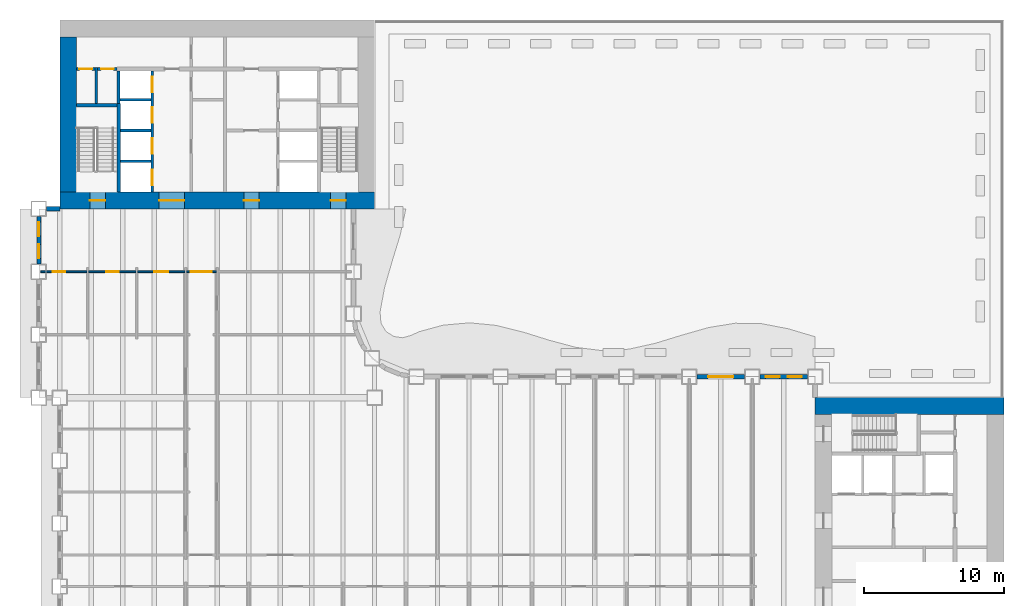
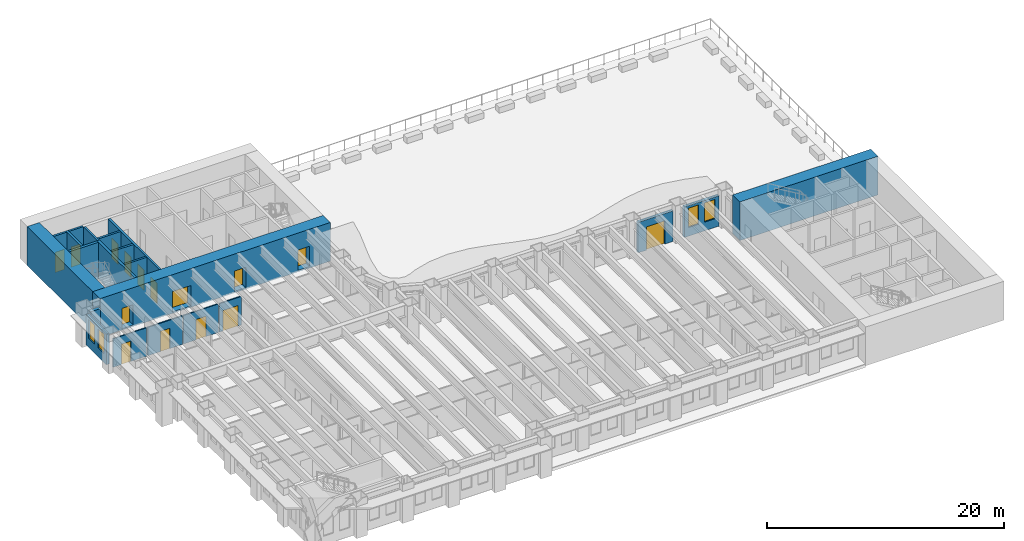
# One storey, part 7 of 18: 21 walls, 15 doors, 4 windows, 19 openings.
"""IFC4 building model written with IfcOpenShell, lengths in metres."""

from ifc_helpers import new_model, si_unit, direction, frame, frame_2d, origin, place, context, subcontext, project, spatial, rectangle, extrude, material, layer, layer_set, type_object, element, fill, save


model = new_model("IFC4")

# Units and contexts
model_context = context("Model", 3, precision=1e-05, world=origin(), true_north=direction((0.0, 1.0)))
body_context = subcontext(model_context, "Body", "Model", "MODEL_VIEW")
ifc_project = project(units=[si_unit("LENGTHUNIT", "METRE"), si_unit("AREAUNIT", "SQUARE_METRE"), si_unit("VOLUMEUNIT", "CUBIC_METRE"), si_unit("PLANEANGLEUNIT", "RADIAN"), si_unit("MASSUNIT", "GRAM", prefix="KILO")], contexts=[model_context])

# Site, building, storey
site_placement = place(None, origin())
site = spatial("IfcSite", under=ifc_project, at=site_placement, CompositionType="ELEMENT")
building_placement = place(site_placement, origin())
building = spatial("IfcBuilding", under=site, at=building_placement, Name="Sennacour Bend Tower", CompositionType="ELEMENT")
storey_placement = place(building_placement, frame((0.0, 0.0, 29.0)))
storey = spatial("IfcBuildingStorey", under=building, at=storey_placement, Name="L05", CompositionType="ELEMENT", Elevation=29.0)

# Wall
ifc_material_1 = material(Name="Concrete C80/95", Category="concrete")
ifc_layer_1 = layer(ifc_material_1, 1.199951171875, Name="Concrete C80/95", Category="concrete")
ifc_layer_set_1 = layer_set([ifc_layer_1], Name="Concrete C80/95")
wall_type_1 = type_object("IfcWallType", Name="Core wall 1200 C80/95", PredefinedType="SHEAR", material=ifc_layer_set_1)
wall_1_placement = place(storey_placement, frame((54.0, 21.89990234375, -0.14990234375), z_axis=(0.0, 0.0, 1.0), x_axis=(1.0, 0.0, 0.0)))
element("IfcWall", 1, at=wall_1_placement, inside=storey, type_object=wall_type_1, Name="Core A wall L05 N", PredefinedType="SHEAR", context=body_context, shape_type="SweptSolid", body=[
    extrude(rectangle(XDim=13.5, YDim=1.199951171875, at=frame_2d((6.75, 0.0))), origin(), (0.0, 0.0, 1.0), 4.0),
])

# Wall, openings, doors
wall_2_placement = place(storey_placement, frame((0.0, 36.60009765625, -0.14990234375), z_axis=(0.0, 0.0, 1.0), x_axis=(1.0, 0.0, 0.0)))
wall_2 = element("IfcWall", 2, at=wall_2_placement, inside=storey, type_object=wall_type_1, Name="Core B wall L05 S", PredefinedType="SHEAR", context=body_context, shape_type="SweptSolid", body=[
    extrude(rectangle(XDim=22.5, YDim=1.199951171875, at=frame_2d((11.25, 0.0))), origin(), (0.0, 0.0, 1.0), 4.0),
])
opening_1_placement = place(wall_2_placement, frame((7.10009765625, 0.0, 0.14990234375)))
opening_1 = element("IfcOpeningElement", 3, at=opening_1_placement, cuts=wall_2, Name="Opening CD", PredefinedType="OPENING", context=body_context, shape_type="SweptSolid", body=[
    extrude(rectangle(XDim=1.800048828125, YDim=2.10009765625, at=frame_2d((0.89990234375, 1.050048828125))), frame((0.0, 0.60986328125, 0.0), z_axis=(0.0, -1.0, 0.0), x_axis=(1.0, 0.0, 0.0)), (0.0, 0.0, 1.0), 1.219970703125),
])
opening_2_placement = place(wall_2_placement, frame((13.14990234375, 0.0, 0.14990234375)))
opening_2 = element("IfcOpeningElement", 4, at=opening_2_placement, cuts=wall_2, Name="Opening FD", PredefinedType="OPENING", context=body_context, shape_type="SweptSolid", body=[
    extrude(rectangle(XDim=1.10009765625, YDim=2.10009765625, at=frame_2d((0.550048828125, 1.050048828125))), frame((0.0, 0.60986328125, 0.0), z_axis=(0.0, -1.0, 0.0), x_axis=(1.0, 0.0, 0.0)), (0.0, 0.0, 1.0), 1.219970703125),
])
opening_3_placement = place(wall_2_placement, frame((2.14990234375, 0.0, 0.14990234375)))
opening_3 = element("IfcOpeningElement", 5, at=opening_3_placement, cuts=wall_2, Name="Opening SD", PredefinedType="OPENING", context=body_context, shape_type="SweptSolid", body=[
    extrude(rectangle(XDim=1.10009765625, YDim=2.10009765625, at=frame_2d((0.550048828125, 1.050048828125))), frame((0.0, 0.60986328125, 0.0), z_axis=(0.0, -1.0, 0.0), x_axis=(1.0, 0.0, 0.0)), (0.0, 0.0, 1.0), 1.219970703125),
])
opening_4_placement = place(wall_2_placement, frame((19.35009765625, 0.0, 0.14990234375)))
opening_4 = element("IfcOpeningElement", 6, at=opening_4_placement, cuts=wall_2, Name="Opening SD", PredefinedType="OPENING", context=body_context, shape_type="SweptSolid", body=[
    extrude(rectangle(XDim=1.10009765625, YDim=2.10009765625, at=frame_2d((0.550048828125, 1.050048828125))), frame((0.0, 0.60986328125, 0.0), z_axis=(0.0, -1.0, 0.0), x_axis=(1.0, 0.0, 0.0)), (0.0, 0.0, 1.0), 1.219970703125),
])
ifc_material_2 = material(Name="Painted steel", Category="steel")
door_type_1 = type_object("IfcDoorType", Name="DR-FFL-1100", OperationType="NOTDEFINED", PredefinedType="DOOR", material=ifc_material_2)
door_1_placement = place(opening_2_placement, origin())
door_1 = element("IfcDoor", 7, at=door_1_placement, inside=storey, type_object=door_type_1, Name="Door", OperationType="SINGLE_SWING_RIGHT", OverallHeight=2.10009765625, OverallWidth=1.10009765625, PredefinedType="DOOR", context=body_context, shape_type="SweptSolid", body=[
    extrude(rectangle(XDim=1.10009765625, YDim=2.10009765625, at=frame_2d((0.550048828125, 1.050048828125))), frame((0.0, 0.02490234375, 0.0), z_axis=(0.0, -1.0, 0.0), x_axis=(1.0, 0.0, 0.0)), (0.0, 0.0, 1.0), 0.050048828125),
])
fill(opening_2, door_1)
door_type_2 = type_object("IfcDoorType", Name="DR-LOBBY-1800", OperationType="NOTDEFINED", PredefinedType="DOOR", material=ifc_material_2)
door_2_placement = place(opening_1_placement, origin())
door_2 = element("IfcDoor", 8, at=door_2_placement, inside=storey, type_object=door_type_2, Name="Door", OperationType="DOUBLE_DOOR_SINGLE_SWING", OverallHeight=2.10009765625, OverallWidth=1.800048828125, PredefinedType="DOOR", context=body_context, shape_type="SweptSolid", body=[
    extrude(rectangle(XDim=1.800048828125, YDim=2.10009765625, at=frame_2d((0.89990234375, 1.050048828125))), frame((0.0, 0.02490234375, 0.0), z_axis=(0.0, -1.0, 0.0), x_axis=(1.0, 0.0, 0.0)), (0.0, 0.0, 1.0), 0.050048828125),
])
fill(opening_1, door_2)
door_type_3 = type_object("IfcDoorType", Name="DR-STAIR-1100", OperationType="NOTDEFINED", PredefinedType="DOOR", material=ifc_material_2)
door_3_placement = place(opening_3_placement, origin())
door_3 = element("IfcDoor", 9, at=door_3_placement, inside=storey, type_object=door_type_3, Name="Door", OperationType="SINGLE_SWING_LEFT", OverallHeight=2.10009765625, OverallWidth=1.10009765625, PredefinedType="DOOR", context=body_context, shape_type="SweptSolid", body=[
    extrude(rectangle(XDim=1.10009765625, YDim=2.10009765625, at=frame_2d((0.550048828125, 1.050048828125))), frame((0.0, 0.02490234375, 0.0), z_axis=(0.0, -1.0, 0.0), x_axis=(1.0, 0.0, 0.0)), (0.0, 0.0, 1.0), 0.050048828125),
])
fill(opening_3, door_3)
door_4_placement = place(opening_4_placement, origin())
door_4 = element("IfcDoor", 10, at=door_4_placement, inside=storey, type_object=door_type_3, Name="Door", OperationType="SINGLE_SWING_RIGHT", OverallHeight=2.10009765625, OverallWidth=1.10009765625, PredefinedType="DOOR", context=body_context, shape_type="SweptSolid", body=[
    extrude(rectangle(XDim=1.10009765625, YDim=2.10009765625, at=frame_2d((0.550048828125, 1.050048828125))), frame((0.0, 0.02490234375, 0.0), z_axis=(0.0, -1.0, 0.0), x_axis=(1.0, 0.0, 0.0)), (0.0, 0.0, 1.0), 0.050048828125),
])
fill(opening_4, door_4)

# Wall
wall_3_placement = place(storey_placement, frame((0.60009765625, 37.199951171875, -0.14990234375), z_axis=(0.0, 0.0, 1.0), x_axis=(0.0, 1.0, 0.0)))
element("IfcWall", 11, at=wall_3_placement, inside=storey, type_object=wall_type_1, Name="Core B wall L05 W", PredefinedType="SHEAR", context=body_context, shape_type="SweptSolid", body=[
    extrude(rectangle(XDim=11.10009765625, YDim=1.199951171875, at=frame_2d((5.550048828125, 0.0))), origin(), (0.0, 0.0, 1.0), 4.0),
])

# Wall, opening, door
ifc_material_3 = material(Name="Plasterboard partition on steel studs", Category="steel")
ifc_layer_2 = layer(ifc_material_3, 0.1201171875, Name="Plasterboard partition on steel studs", Category="steel")
ifc_layer_set_2 = layer_set([ifc_layer_2], Name="Plasterboard partition on steel studs")
wall_type_2 = type_object("IfcWallType", Name="Partition 120", PredefinedType="PARTITIONING", material=ifc_layer_set_2)
wall_4_placement = place(storey_placement, frame((-1.35009765625, 31.5, 0.0), z_axis=(0.0, 0.0, 1.0), x_axis=(1.0, 0.0, 0.0)))
wall_4 = element("IfcWall", 12, at=wall_4_placement, inside=storey, type_object=wall_type_2, Name="P-L05-W078aa", PredefinedType="PARTITIONING", context=body_context, shape_type="SweptSolid", body=[
    extrude(rectangle(XDim=3.2900390625, YDim=0.1201171875, at=frame_2d((1.64501953125, 0.0))), origin(), (0.0, 0.0, 1.0), 2.93798828125),
])
opening_5_placement = place(wall_4_placement, frame((0.85009765625, 0.0, 0.0)))
opening_5 = element("IfcOpeningElement", 13, at=opening_5_placement, cuts=wall_4, Name="Opening WD", PredefinedType="OPENING", context=body_context, shape_type="SweptSolid", body=[
    extrude(rectangle(XDim=0.89990234375, YDim=2.10009765625, at=frame_2d((0.449951171875, 1.050048828125))), frame((0.0, 0.070068359375, 0.0), z_axis=(0.0, -1.0, 0.0), x_axis=(1.0, 0.0, 0.0)), (0.0, 0.0, 1.0), 0.14013671875),
])
ifc_material_4 = material(Name="Timber", Category="wood")
door_type_4 = type_object("IfcDoorType", Name="DR-WC-900", OperationType="NOTDEFINED", PredefinedType="DOOR", material=ifc_material_4)
door_5_placement = place(opening_5_placement, origin())
door_5 = element("IfcDoor", 14, at=door_5_placement, inside=storey, type_object=door_type_4, Name="Door", OperationType="SINGLE_SWING_LEFT", OverallHeight=2.10009765625, OverallWidth=0.89990234375, PredefinedType="DOOR", context=body_context, shape_type="SweptSolid", body=[
    extrude(rectangle(XDim=0.89990234375, YDim=2.10009765625, at=frame_2d((0.449951171875, 1.050048828125))), frame((0.0, 0.02490234375, 0.0), z_axis=(0.0, -1.0, 0.0), x_axis=(1.0, 0.0, 0.0)), (0.0, 0.0, 1.0), 0.050048828125),
])
fill(opening_5, door_5)

wall_5_placement = place(storey_placement, frame((2.06005859375, 31.5, 0.0), z_axis=(0.0, 0.0, 1.0), x_axis=(1.0, 0.0, 0.0)))
wall_5 = element("IfcWall", 15, at=wall_5_placement, inside=storey, type_object=wall_type_2, Name="P-L05-W078ab", PredefinedType="PARTITIONING", context=body_context, shape_type="SweptSolid", body=[
    extrude(rectangle(XDim=3.3798828125, YDim=0.1201171875, at=frame_2d((1.68994140625, 0.0))), origin(), (0.0, 0.0, 1.0), 2.93798828125),
])
opening_6_placement = place(wall_5_placement, frame((1.239990234375, 0.0, 0.0)))
opening_6 = element("IfcOpeningElement", 16, at=opening_6_placement, cuts=wall_5, Name="Opening WD", PredefinedType="OPENING", context=body_context, shape_type="SweptSolid", body=[
    extrude(rectangle(XDim=0.89990234375, YDim=2.10009765625, at=frame_2d((0.449951171875, 1.050048828125))), frame((0.0, 0.070068359375, 0.0), z_axis=(0.0, -1.0, 0.0), x_axis=(1.0, 0.0, 0.0)), (0.0, 0.0, 1.0), 0.14013671875),
])
door_6_placement = place(opening_6_placement, origin())
door_6 = element("IfcDoor", 17, at=door_6_placement, inside=storey, type_object=door_type_4, Name="Door", OperationType="SINGLE_SWING_LEFT", OverallHeight=2.10009765625, OverallWidth=0.89990234375, PredefinedType="DOOR", context=body_context, shape_type="SweptSolid", body=[
    extrude(rectangle(XDim=0.89990234375, YDim=2.10009765625, at=frame_2d((0.449951171875, 1.050048828125))), frame((0.0, 0.02490234375, 0.0), z_axis=(0.0, -1.0, 0.0), x_axis=(1.0, 0.0, 0.0)), (0.0, 0.0, 1.0), 0.050048828125),
])
fill(opening_6, door_6)

wall_6_placement = place(storey_placement, frame((5.56005859375, 31.5, 0.0), z_axis=(0.0, 0.0, 1.0), x_axis=(1.0, 0.0, 0.0)))
wall_6 = element("IfcWall", 18, at=wall_6_placement, inside=storey, type_object=wall_type_2, Name="P-L05-W078ac", PredefinedType="PARTITIONING", context=body_context, shape_type="SweptSolid", body=[
    extrude(rectangle(XDim=3.3798828125, YDim=0.1201171875, at=frame_2d((1.68994140625, 0.0))), origin(), (0.0, 0.0, 1.0), 2.93798828125),
])
opening_7_placement = place(wall_6_placement, frame((1.18994140625, 0.0, 0.0)))
opening_7 = element("IfcOpeningElement", 19, at=opening_7_placement, cuts=wall_6, Name="Opening AD", PredefinedType="OPENING", context=body_context, shape_type="SweptSolid", body=[
    extrude(rectangle(XDim=1.0, YDim=2.10009765625, at=frame_2d((0.5, 1.050048828125))), frame((0.0, 0.070068359375, 0.0), z_axis=(0.0, -1.0, 0.0), x_axis=(1.0, 0.0, 0.0)), (0.0, 0.0, 1.0), 0.14013671875),
])
door_type_5 = type_object("IfcDoorType", Name="DR-ACC-WC-1000", OperationType="NOTDEFINED", PredefinedType="DOOR", material=ifc_material_4)
door_7_placement = place(opening_7_placement, origin())
door_7 = element("IfcDoor", 20, at=door_7_placement, inside=storey, type_object=door_type_5, Name="Door", OperationType="SINGLE_SWING_LEFT", OverallHeight=2.10009765625, OverallWidth=1.0, PredefinedType="DOOR", context=body_context, shape_type="SweptSolid", body=[
    extrude(rectangle(XDim=1.0, YDim=2.10009765625, at=frame_2d((0.5, 1.050048828125))), frame((0.0, 0.02490234375, 0.0), z_axis=(0.0, -1.0, 0.0), x_axis=(1.0, 0.0, 0.0)), (0.0, 0.0, 1.0), 0.050048828125),
])
fill(opening_7, door_7)

ifc_layer_3 = layer(ifc_material_3, 0.1201171875, Name="Plasterboard partition on steel studs", Category="steel")
ifc_layer_set_3 = layer_set([ifc_layer_3], Name="Plasterboard partition on steel studs")
wall_type_3 = type_object("IfcWallType", Name="Partition 120 EI 30", PredefinedType="PARTITIONING", material=ifc_layer_set_3)
wall_7_placement = place(storey_placement, frame((9.06005859375, 31.5, 0.0), z_axis=(0.0, 0.0, 1.0), x_axis=(1.0, 0.0, 0.0)))
wall_7 = element("IfcWall", 21, at=wall_7_placement, inside=storey, type_object=wall_type_3, Name="P-L05-W078ad", PredefinedType="PARTITIONING", context=body_context, shape_type="SweptSolid", body=[
    extrude(rectangle(XDim=2.1298828125, YDim=0.1201171875, at=frame_2d((1.06494140625, 0.0))), origin(), (0.0, 0.0, 1.0), 2.93798828125),
])
opening_8_placement = place(wall_7_placement, frame((0.31494140625, 0.0, 0.0)))
opening_8 = element("IfcOpeningElement", 22, at=opening_8_placement, cuts=wall_7, Name="Opening KD", PredefinedType="OPENING", context=body_context, shape_type="SweptSolid", body=[
    extrude(rectangle(XDim=1.5, YDim=2.10009765625, at=frame_2d((0.75, 1.050048828125))), frame((0.0, 0.070068359375, 0.0), z_axis=(0.0, -1.0, 0.0), x_axis=(1.0, 0.0, 0.0)), (0.0, 0.0, 1.0), 0.14013671875),
])
door_type_6 = type_object("IfcDoorType", Name="DR-CORRIDOR-1500", OperationType="NOTDEFINED", PredefinedType="DOOR", material=ifc_material_2)
door_8_placement = place(opening_8_placement, origin())
door_8 = element("IfcDoor", 23, at=door_8_placement, inside=storey, type_object=door_type_6, Name="Door", OperationType="SINGLE_SWING_LEFT", OverallHeight=2.10009765625, OverallWidth=1.5, PredefinedType="DOOR", context=body_context, shape_type="SweptSolid", body=[
    extrude(rectangle(XDim=1.5, YDim=2.10009765625, at=frame_2d((0.75, 1.050048828125))), frame((0.0, 0.02490234375, 0.0), z_axis=(0.0, -1.0, 0.0), x_axis=(1.0, 0.0, 0.0)), (0.0, 0.0, 1.0), 0.050048828125),
])
fill(opening_8, door_8)

# Wall
ifc_material_5 = material(Name="Fire-rated plasterboard partition on steel studs", Category="steel")
ifc_layer_4 = layer(ifc_material_5, 0.199951171875, Name="Fire-rated plasterboard partition on steel studs", Category="steel")
ifc_layer_set_4 = layer_set([ifc_layer_4], Name="Fire-rated plasterboard partition on steel studs")
wall_type_4 = type_object("IfcWallType", Name="Rated partition 200", PredefinedType="PARTITIONING", material=ifc_layer_set_4)
wall_8_placement = place(storey_placement, frame((2.60009765625, 43.52490234375, 0.0), z_axis=(0.0, 0.0, 1.0), x_axis=(0.0, 1.0, 0.0)))
element("IfcWall", 24, at=wall_8_placement, inside=storey, type_object=wall_type_4, Name="P-L05-W005", PredefinedType="PARTITIONING", context=body_context, shape_type="SweptSolid", body=[
    extrude(rectangle(XDim=2.5751953125, YDim=0.199951171875, at=frame_2d((1.28759765625, 0.0))), origin(), (0.0, 0.0, 1.0), 3.85009765625),
])

# Wall, opening, door
wall_9_placement = place(storey_placement, frame((1.199951171875, 46.0, 0.0), z_axis=(0.0, 0.0, 1.0), x_axis=(1.0, 0.0, 0.0)))
wall_9 = element("IfcWall", 25, at=wall_9_placement, inside=storey, type_object=wall_type_4, Name="P-L05-W090a", PredefinedType="PARTITIONING", context=body_context, shape_type="SweptSolid", body=[
    extrude(rectangle(XDim=1.300048828125, YDim=0.199951171875, at=frame_2d((0.64990234375, 0.0))), origin(), (0.0, 0.0, 1.0), 3.85009765625),
])
opening_9_placement = place(wall_9_placement, frame((0.199951171875, 0.0, 0.0)))
opening_9 = element("IfcOpeningElement", 26, at=opening_9_placement, cuts=wall_9, Name="Opening SV", PredefinedType="OPENING", context=body_context, shape_type="SweptSolid", body=[
    extrude(rectangle(XDim=0.89990234375, YDim=2.10009765625, at=frame_2d((0.449951171875, 1.050048828125))), frame((0.0, 0.10986328125, 0.0), z_axis=(0.0, -1.0, 0.0), x_axis=(1.0, 0.0, 0.0)), (0.0, 0.0, 1.0), 0.219970703125),
])
door_type_7 = type_object("IfcDoorType", Name="DR-SERVICE-900", OperationType="NOTDEFINED", PredefinedType="DOOR", material=ifc_material_2)
door_9_placement = place(opening_9_placement, origin())
door_9 = element("IfcDoor", 27, at=door_9_placement, inside=storey, type_object=door_type_7, Name="Door", OperationType="SINGLE_SWING_LEFT", OverallHeight=2.10009765625, OverallWidth=0.89990234375, PredefinedType="DOOR", context=body_context, shape_type="SweptSolid", body=[
    extrude(rectangle(XDim=0.89990234375, YDim=2.10009765625, at=frame_2d((0.449951171875, 1.050048828125))), frame((0.0, 0.02490234375, 0.0), z_axis=(0.0, -1.0, 0.0), x_axis=(1.0, 0.0, 0.0)), (0.0, 0.0, 1.0), 0.050048828125),
])
fill(opening_9, door_9)

wall_10_placement = place(storey_placement, frame((2.699951171875, 46.0, 0.0), z_axis=(0.0, 0.0, 1.0), x_axis=(1.0, 0.0, 0.0)))
wall_10 = element("IfcWall", 28, at=wall_10_placement, inside=storey, type_object=wall_type_4, Name="P-L05-W090b", PredefinedType="PARTITIONING", context=body_context, shape_type="SweptSolid", body=[
    extrude(rectangle(XDim=1.400146484375, YDim=0.199951171875, at=frame_2d((0.7001953125, 0.0))), origin(), (0.0, 0.0, 1.0), 3.85009765625),
])
opening_10_placement = place(wall_10_placement, frame((0.25, 0.0, 0.0)))
opening_10 = element("IfcOpeningElement", 29, at=opening_10_placement, cuts=wall_10, Name="Opening WD", PredefinedType="OPENING", context=body_context, shape_type="SweptSolid", body=[
    extrude(rectangle(XDim=0.89990234375, YDim=2.10009765625, at=frame_2d((0.449951171875, 1.050048828125))), frame((0.0, 0.10986328125, 0.0), z_axis=(0.0, -1.0, 0.0), x_axis=(1.0, 0.0, 0.0)), (0.0, 0.0, 1.0), 0.219970703125),
])
door_10_placement = place(opening_10_placement, origin())
door_10 = element("IfcDoor", 30, at=door_10_placement, inside=storey, type_object=door_type_4, Name="Door", OperationType="SINGLE_SWING_LEFT", OverallHeight=2.10009765625, OverallWidth=0.89990234375, PredefinedType="DOOR", context=body_context, shape_type="SweptSolid", body=[
    extrude(rectangle(XDim=0.89990234375, YDim=2.10009765625, at=frame_2d((0.449951171875, 1.050048828125))), frame((0.0, 0.02490234375, 0.0), z_axis=(0.0, -1.0, 0.0), x_axis=(1.0, 0.0, 0.0)), (0.0, 0.0, 1.0), 0.050048828125),
])
fill(opening_10, door_10)

# Wall, openings, windows
ifc_material_6 = material(Name="Warm limestone cladding", Category="masonry")
ifc_layer_5 = layer(ifc_material_6, 0.050048828125, Name="Warm limestone cladding", Category="masonry")
ifc_material_7 = material(Name="Precast concrete C40/50", Category="concrete")
ifc_layer_6 = layer(ifc_material_7, 0.25, Name="Precast concrete C40/50", Category="concrete")
ifc_layer_set_5 = layer_set([ifc_layer_5, ifc_layer_6], Name="Precast concrete C40/50 with limestone cladding")
wall_type_5 = type_object("IfcWallType", Name="STONE-CLAD PRECAST SPANDREL 300", PredefinedType="STANDARD", material=ifc_layer_set_5)
wall_11_placement = place(storey_placement, frame((53.449951171875, 24.0, 0.0), z_axis=(0.0, 0.0, 1.0), x_axis=(-1.0, 0.0, 0.0)))
wall_11 = element("IfcWall", 31, at=wall_11_placement, inside=storey, type_object=wall_type_5, Name="Stone spandrel and pier wall L05 08.00", PredefinedType="STANDARD", context=body_context, shape_type="SweptSolid", body=[
    extrude(rectangle(XDim=3.39990234375, YDim=0.300048828125, at=frame_2d((1.699951171875, 0.0))), origin(), (0.0, 0.0, 1.0), 3.14404296875),
])
opening_11_placement = place(wall_11_placement, frame((0.39990234375, 0.0, 0.89990234375)))
opening_11 = element("IfcOpeningElement", 32, at=opening_11_placement, cuts=wall_11, Name="Opening W8", PredefinedType="OPENING", context=body_context, shape_type="SweptSolid", body=[
    extrude(rectangle(XDim=1.0, YDim=2.0, at=frame_2d((0.5, 1.0))), frame((0.0, 0.16015625, 0.0), z_axis=(0.0, -1.0, 0.0), x_axis=(1.0, 0.0, 0.0)), (0.0, 0.0, 1.0), 0.320068359375),
])
opening_12_placement = place(wall_11_placement, frame((2.0, 0.0, 0.89990234375)))
opening_12 = element("IfcOpeningElement", 33, at=opening_12_placement, cuts=wall_11, Name="Opening W8", PredefinedType="OPENING", context=body_context, shape_type="SweptSolid", body=[
    extrude(rectangle(XDim=1.0, YDim=2.0, at=frame_2d((0.5, 1.0))), frame((0.0, 0.16015625, 0.0), z_axis=(0.0, -1.0, 0.0), x_axis=(1.0, 0.0, 0.0)), (0.0, 0.0, 1.0), 0.320068359375),
])
ifc_material_8 = material(Name="Clear low-emissivity glass", Category="glass")
window_type = type_object("IfcWindowType", Name="WIN-RIBBON-1000x2000", PartitioningType="SINGLE_PANEL", PredefinedType="WINDOW", material=ifc_material_8)
window_1_placement = place(opening_11_placement, origin())
window_1 = element("IfcWindow", 34, at=window_1_placement, inside=storey, type_object=window_type, Name="Ribbon window L05 08.00.0", OverallHeight=2.0, OverallWidth=1.0, PartitioningType="SINGLE_PANEL", PredefinedType="WINDOW", context=body_context, shape_type="SweptSolid", body=[
    extrude(rectangle(XDim=1.0, YDim=2.0, at=frame_2d((0.5, 1.0))), frame((0.0, 0.030029296875, 0.0), z_axis=(0.0, -1.0, 0.0), x_axis=(1.0, 0.0, 0.0)), (0.0, 0.0, 1.0), 0.06005859375),
])
fill(opening_11, window_1)
window_2_placement = place(opening_12_placement, origin())
window_2 = element("IfcWindow", 35, at=window_2_placement, inside=storey, type_object=window_type, Name="Ribbon window L05 08.00.1", OverallHeight=2.0, OverallWidth=1.0, PartitioningType="SINGLE_PANEL", PredefinedType="WINDOW", context=body_context, shape_type="SweptSolid", body=[
    extrude(rectangle(XDim=1.0, YDim=2.0, at=frame_2d((0.5, 1.0))), frame((0.0, 0.030029296875, 0.0), z_axis=(0.0, -1.0, 0.0), x_axis=(1.0, 0.0, 0.0)), (0.0, 0.0, 1.0), 0.06005859375),
])
fill(opening_12, window_2)

# Wall, opening, door
wall_12_placement = place(storey_placement, frame((48.949951171875, 24.0, 0.0), z_axis=(0.0, 0.0, 1.0), x_axis=(-1.0, 0.0, 0.0)))
wall_12 = element("IfcWall", 36, at=wall_12_placement, inside=storey, type_object=wall_type_5, Name="Stone spandrel and pier wall L05 08.01", PredefinedType="STANDARD", context=body_context, shape_type="SweptSolid", body=[
    extrude(rectangle(XDim=3.39990234375, YDim=0.300048828125, at=frame_2d((1.699951171875, 0.0))), origin(), (0.0, 0.0, 1.0), 3.14404296875),
])
opening_13_placement = place(wall_12_placement, frame((0.800048828125, 0.0, 0.0)))
opening_13 = element("IfcOpeningElement", 37, at=opening_13_placement, cuts=wall_12, Name="Opening TD1", PredefinedType="OPENING", context=body_context, shape_type="SweptSolid", body=[
    extrude(rectangle(XDim=1.800048828125, YDim=2.39990234375, at=frame_2d((0.89990234375, 1.199951171875))), frame((0.0, 0.16015625, 0.0), z_axis=(0.0, -1.0, 0.0), x_axis=(1.0, 0.0, 0.0)), (0.0, 0.0, 1.0), 0.320068359375),
])
ifc_material_9 = material(Name="Aluminium framed glazed door", Category="aluminium")
door_type_8 = type_object("IfcDoorType", Name="DR-TERRACE-1800x2400", OperationType="DOUBLE_DOOR_SINGLE_SWING", PredefinedType="DOOR", material=ifc_material_9)
door_11_placement = place(opening_13_placement, origin())
door_11 = element("IfcDoor", 38, at=door_11_placement, inside=storey, type_object=door_type_8, Name="Terrace door L05 08.01", OperationType="DOUBLE_DOOR_SINGLE_SWING", OverallHeight=2.39990234375, OverallWidth=1.800048828125, PredefinedType="DOOR", context=body_context, shape_type="SweptSolid", body=[
    extrude(rectangle(XDim=1.800048828125, YDim=2.39990234375, at=frame_2d((0.89990234375, 1.199951171875))), frame((0.0, 0.02490234375, 0.0), z_axis=(0.0, -1.0, 0.0), x_axis=(1.0, 0.0, 0.0)), (0.0, 0.0, 1.0), 0.050048828125),
])
fill(opening_13, door_11)

# Wall
wall_13_placement = place(storey_placement, frame((0.0, 36.0, 0.0), z_axis=(0.0, 0.0, 1.0), x_axis=(-1.0, 0.0, 0.0)))
element("IfcWall", 39, at=wall_13_placement, inside=storey, type_object=wall_type_5, Name="Stone spandrel and pier wall L05 20.00", PredefinedType="STANDARD", context=body_context, shape_type="SweptSolid", body=[
    extrude(rectangle(XDim=0.949951171875, YDim=0.300048828125, at=frame_2d((0.47509765625, 0.0))), origin(), (0.0, 0.0, 1.0), 2.93798828125),
])

# Wall, openings, windows
wall_14_placement = place(storey_placement, frame((-1.5, 35.449951171875, 0.0), z_axis=(0.0, 0.0, 1.0), x_axis=(0.0, -1.0, 0.0)))
wall_14 = element("IfcWall", 40, at=wall_14_placement, inside=storey, type_object=wall_type_5, Name="Stone spandrel and pier wall L05 21.00", PredefinedType="STANDARD", context=body_context, shape_type="SweptSolid", body=[
    extrude(rectangle(XDim=3.39990234375, YDim=0.300048828125, at=frame_2d((1.699951171875, 0.0))), origin(), (0.0, 0.0, 1.0), 3.14404296875),
])
opening_14_placement = place(wall_14_placement, frame((0.39990234375, 0.0, 0.89990234375)))
opening_14 = element("IfcOpeningElement", 41, at=opening_14_placement, cuts=wall_14, Name="Opening W8", PredefinedType="OPENING", context=body_context, shape_type="SweptSolid", body=[
    extrude(rectangle(XDim=1.0, YDim=2.0, at=frame_2d((0.5, 1.0))), frame((0.0, 0.16015625, 0.0), z_axis=(0.0, -1.0, 0.0), x_axis=(1.0, 0.0, 0.0)), (0.0, 0.0, 1.0), 0.320068359375),
])
opening_15_placement = place(wall_14_placement, frame((2.0, 0.0, 0.89990234375)))
opening_15 = element("IfcOpeningElement", 42, at=opening_15_placement, cuts=wall_14, Name="Opening W8", PredefinedType="OPENING", context=body_context, shape_type="SweptSolid", body=[
    extrude(rectangle(XDim=1.0, YDim=2.0, at=frame_2d((0.5, 1.0))), frame((0.0, 0.16015625, 0.0), z_axis=(0.0, -1.0, 0.0), x_axis=(1.0, 0.0, 0.0)), (0.0, 0.0, 1.0), 0.320068359375),
])
window_3_placement = place(opening_14_placement, origin())
window_3 = element("IfcWindow", 43, at=window_3_placement, inside=storey, type_object=window_type, Name="Ribbon window L05 21.00.0", OverallHeight=2.0, OverallWidth=1.0, PartitioningType="SINGLE_PANEL", PredefinedType="WINDOW", context=body_context, shape_type="SweptSolid", body=[
    extrude(rectangle(XDim=1.0, YDim=2.0, at=frame_2d((0.5, 1.0))), frame((0.0, 0.030029296875, 0.0), z_axis=(0.0, -1.0, 0.0), x_axis=(1.0, 0.0, 0.0)), (0.0, 0.0, 1.0), 0.06005859375),
])
fill(opening_14, window_3)
window_4_placement = place(opening_15_placement, origin())
window_4 = element("IfcWindow", 44, at=window_4_placement, inside=storey, type_object=window_type, Name="Ribbon window L05 21.00.1", OverallHeight=2.0, OverallWidth=1.0, PartitioningType="SINGLE_PANEL", PredefinedType="WINDOW", context=body_context, shape_type="SweptSolid", body=[
    extrude(rectangle(XDim=1.0, YDim=2.0, at=frame_2d((0.5, 1.0))), frame((0.0, 0.030029296875, 0.0), z_axis=(0.0, -1.0, 0.0), x_axis=(1.0, 0.0, 0.0)), (0.0, 0.0, 1.0), 0.06005859375),
])
fill(opening_15, window_4)

# Wall
ifc_material_10 = material(Name="Concrete C50/60", Category="concrete")
ifc_layer_7 = layer(ifc_material_10, 0.199951171875, Name="Concrete C50/60", Category="concrete")
ifc_layer_set_6 = layer_set([ifc_layer_7], Name="Concrete C50/60")
wall_type_6 = type_object("IfcWallType", Name="Shaft wall 200", PredefinedType="SOLIDWALL", material=ifc_layer_set_6)
wall_15_placement = place(storey_placement, frame((4.199951171875, 43.52490234375, 0.0), z_axis=(0.0, 0.0, 1.0), x_axis=(0.0, 1.0, 0.0)))
element("IfcWall", 45, at=wall_15_placement, inside=storey, type_object=wall_type_6, Name="P-L05-W007", PredefinedType="SOLIDWALL", context=body_context, shape_type="SweptSolid", body=[
    extrude(rectangle(XDim=2.3251953125, YDim=0.199951171875, at=frame_2d((1.16259765625, 0.0))), origin(), (0.0, 0.0, 1.0), 3.85009765625),
])

# Wall, openings, doors
wall_16_placement = place(storey_placement, frame((6.60009765625, 37.199951171875, 0.0), z_axis=(0.0, 0.0, 1.0), x_axis=(0.0, 1.0, 0.0)))
wall_16 = element("IfcWall", 46, at=wall_16_placement, inside=storey, type_object=wall_type_6, Name="P-L05-W009", PredefinedType="SOLIDWALL", context=body_context, shape_type="SweptSolid", body=[
    extrude(rectangle(XDim=8.650146484375, YDim=0.199951171875, at=frame_2d((4.3251953125, 0.0))), origin(), (0.0, 0.0, 1.0), 3.85009765625),
])
opening_16_placement = place(wall_16_placement, frame((0.5, 0.0, 0.011962890625)))
opening_16 = element("IfcOpeningElement", 47, at=opening_16_placement, cuts=wall_16, Name="Opening LD", PredefinedType="OPENING", context=body_context, shape_type="SweptSolid", body=[
    extrude(rectangle(XDim=1.10009765625, YDim=2.10009765625, at=frame_2d((0.550048828125, 1.050048828125))), frame((0.0, 0.10986328125, 0.0), z_axis=(0.0, -1.0, 0.0), x_axis=(1.0, 0.0, 0.0)), (0.0, 0.0, 1.0), 0.219970703125),
])
opening_17_placement = place(wall_16_placement, frame((2.75, 0.0, 0.011962890625)))
opening_17 = element("IfcOpeningElement", 48, at=opening_17_placement, cuts=wall_16, Name="Opening LD", PredefinedType="OPENING", context=body_context, shape_type="SweptSolid", body=[
    extrude(rectangle(XDim=1.10009765625, YDim=2.10009765625, at=frame_2d((0.550048828125, 1.050048828125))), frame((0.0, 0.10986328125, 0.0), z_axis=(0.0, -1.0, 0.0), x_axis=(1.0, 0.0, 0.0)), (0.0, 0.0, 1.0), 0.219970703125),
])
opening_18_placement = place(wall_16_placement, frame((4.949951171875, 0.0, 0.011962890625)))
opening_18 = element("IfcOpeningElement", 49, at=opening_18_placement, cuts=wall_16, Name="Opening LD", PredefinedType="OPENING", context=body_context, shape_type="SweptSolid", body=[
    extrude(rectangle(XDim=1.10009765625, YDim=2.10009765625, at=frame_2d((0.550048828125, 1.050048828125))), frame((0.0, 0.10986328125, 0.0), z_axis=(0.0, -1.0, 0.0), x_axis=(1.0, 0.0, 0.0)), (0.0, 0.0, 1.0), 0.219970703125),
])
opening_19_placement = place(wall_16_placement, frame((7.125, 0.0, 0.011962890625)))
opening_19 = element("IfcOpeningElement", 50, at=opening_19_placement, cuts=wall_16, Name="Opening LD", PredefinedType="OPENING", context=body_context, shape_type="SweptSolid", body=[
    extrude(rectangle(XDim=1.10009765625, YDim=2.10009765625, at=frame_2d((0.550048828125, 1.050048828125))), frame((0.0, 0.10986328125, 0.0), z_axis=(0.0, -1.0, 0.0), x_axis=(1.0, 0.0, 0.0)), (0.0, 0.0, 1.0), 0.219970703125),
])
ifc_material_11 = material(Name="Stainless steel", Category="steel")
door_type_9 = type_object("IfcDoorType", Name="DR-LANDING-1100", OperationType="NOTDEFINED", PredefinedType="DOOR", material=ifc_material_11)
door_12_placement = place(opening_16_placement, origin())
door_12 = element("IfcDoor", 51, at=door_12_placement, inside=storey, type_object=door_type_9, Name="Lift landing door LB1", OperationType="SLIDING_TO_LEFT", OverallHeight=2.10009765625, OverallWidth=1.10009765625, PredefinedType="DOOR", context=body_context, shape_type="SweptSolid", body=[
    extrude(rectangle(XDim=1.10009765625, YDim=2.10009765625, at=frame_2d((0.550048828125, 1.050048828125))), frame((0.0, 0.02490234375, 0.0), z_axis=(0.0, -1.0, 0.0), x_axis=(1.0, 0.0, 0.0)), (0.0, 0.0, 1.0), 0.050048828125),
])
fill(opening_16, door_12)
door_13_placement = place(opening_17_placement, origin())
door_13 = element("IfcDoor", 52, at=door_13_placement, inside=storey, type_object=door_type_9, Name="Lift landing door LB2", OperationType="SLIDING_TO_RIGHT", OverallHeight=2.10009765625, OverallWidth=1.10009765625, PredefinedType="DOOR", context=body_context, shape_type="SweptSolid", body=[
    extrude(rectangle(XDim=1.10009765625, YDim=2.10009765625, at=frame_2d((0.550048828125, 1.050048828125))), frame((0.0, 0.02490234375, 0.0), z_axis=(0.0, -1.0, 0.0), x_axis=(1.0, 0.0, 0.0)), (0.0, 0.0, 1.0), 0.050048828125),
])
fill(opening_17, door_13)
door_14_placement = place(opening_18_placement, origin())
door_14 = element("IfcDoor", 53, at=door_14_placement, inside=storey, type_object=door_type_9, Name="Lift landing door LB3", OperationType="SLIDING_TO_LEFT", OverallHeight=2.10009765625, OverallWidth=1.10009765625, PredefinedType="DOOR", context=body_context, shape_type="SweptSolid", body=[
    extrude(rectangle(XDim=1.10009765625, YDim=2.10009765625, at=frame_2d((0.550048828125, 1.050048828125))), frame((0.0, 0.02490234375, 0.0), z_axis=(0.0, -1.0, 0.0), x_axis=(1.0, 0.0, 0.0)), (0.0, 0.0, 1.0), 0.050048828125),
])
fill(opening_18, door_14)
door_15_placement = place(opening_19_placement, origin())
door_15 = element("IfcDoor", 54, at=door_15_placement, inside=storey, type_object=door_type_9, Name="Lift landing door LB4", OperationType="SLIDING_TO_RIGHT", OverallHeight=2.10009765625, OverallWidth=1.10009765625, PredefinedType="DOOR", context=body_context, shape_type="SweptSolid", body=[
    extrude(rectangle(XDim=1.10009765625, YDim=2.10009765625, at=frame_2d((0.550048828125, 1.050048828125))), frame((0.0, 0.02490234375, 0.0), z_axis=(0.0, -1.0, 0.0), x_axis=(1.0, 0.0, 0.0)), (0.0, 0.0, 1.0), 0.050048828125),
])
fill(opening_19, door_15)

# Walls
for number, where, z_axis, x_axis, name in (
    (55, (4.324951171875, 39.39990234375, 0.0), (0.0, 0.0, 1.0), (1.0, 0.0, 0.0), "P-L05-W080"),
    (56, (4.324951171875, 41.60009765625, 0.0), (0.0, 0.0, 1.0), (1.0, 0.0, 0.0), "P-L05-W082"),
):
    element("IfcWall", number, at=place(storey_placement, frame(where, z_axis=z_axis, x_axis=x_axis)), inside=storey, type_object=wall_type_6, Name=name, PredefinedType="SOLIDWALL", context=body_context, shape_type="SweptSolid", body=[
        extrude(rectangle(XDim=2.175048828125, YDim=0.199951171875, at=frame_2d((1.08740234375, 0.0))), origin(), (0.0, 0.0, 1.0), 3.85009765625),
    ])
wall_17_placement = place(storey_placement, frame((4.300048828125, 43.800048828125, 0.0), z_axis=(0.0, 0.0, 1.0), x_axis=(1.0, 0.0, 0.0)))
element("IfcWall", 57, at=wall_17_placement, inside=storey, type_object=wall_type_6, Name="P-L05-W087", PredefinedType="SOLIDWALL", context=body_context, shape_type="SweptSolid", body=[
    extrude(rectangle(XDim=2.199951171875, YDim=0.199951171875, at=frame_2d((1.10009765625, 0.0))), origin(), (0.0, 0.0, 1.0), 3.85009765625),
])
ifc_material_12 = material(Name="Concrete C60/75", Category="concrete")
ifc_layer_8 = layer(ifc_material_12, 0.25, Name="Concrete C60/75", Category="concrete")
ifc_layer_set_7 = layer_set([ifc_layer_8], Name="Concrete C60/75")
wall_type_7 = type_object("IfcWallType", Name="Stair wall 250", PredefinedType="SHEAR", material=ifc_layer_set_7)
wall_18_placement = place(storey_placement, frame((4.199951171875, 37.199951171875, 0.0), z_axis=(0.0, 0.0, 1.0), x_axis=(0.0, 1.0, 0.0)))
element("IfcWall", 58, at=wall_18_placement, inside=storey, type_object=wall_type_7, Name="P-L05-W006", PredefinedType="SHEAR", context=body_context, shape_type="SweptSolid", body=[
    extrude(rectangle(XDim=6.324951171875, YDim=0.25, at=frame_2d((3.16259765625, 0.0))), origin(), (0.0, 0.0, 1.0), 3.85009765625),
])
wall_19_placement = place(storey_placement, frame((1.199951171875, 43.39990234375, 0.0), z_axis=(0.0, 0.0, 1.0), x_axis=(1.0, 0.0, 0.0)))
element("IfcWall", 59, at=wall_19_placement, inside=storey, type_object=wall_type_7, Name="P-L05-W085", PredefinedType="SHEAR", context=body_context, shape_type="SweptSolid", body=[
    extrude(rectangle(XDim=2.875, YDim=0.25, at=frame_2d((1.4375, 0.0))), origin(), (0.0, 0.0, 1.0), 3.85009765625),
])

save(model, "model.ifc")
